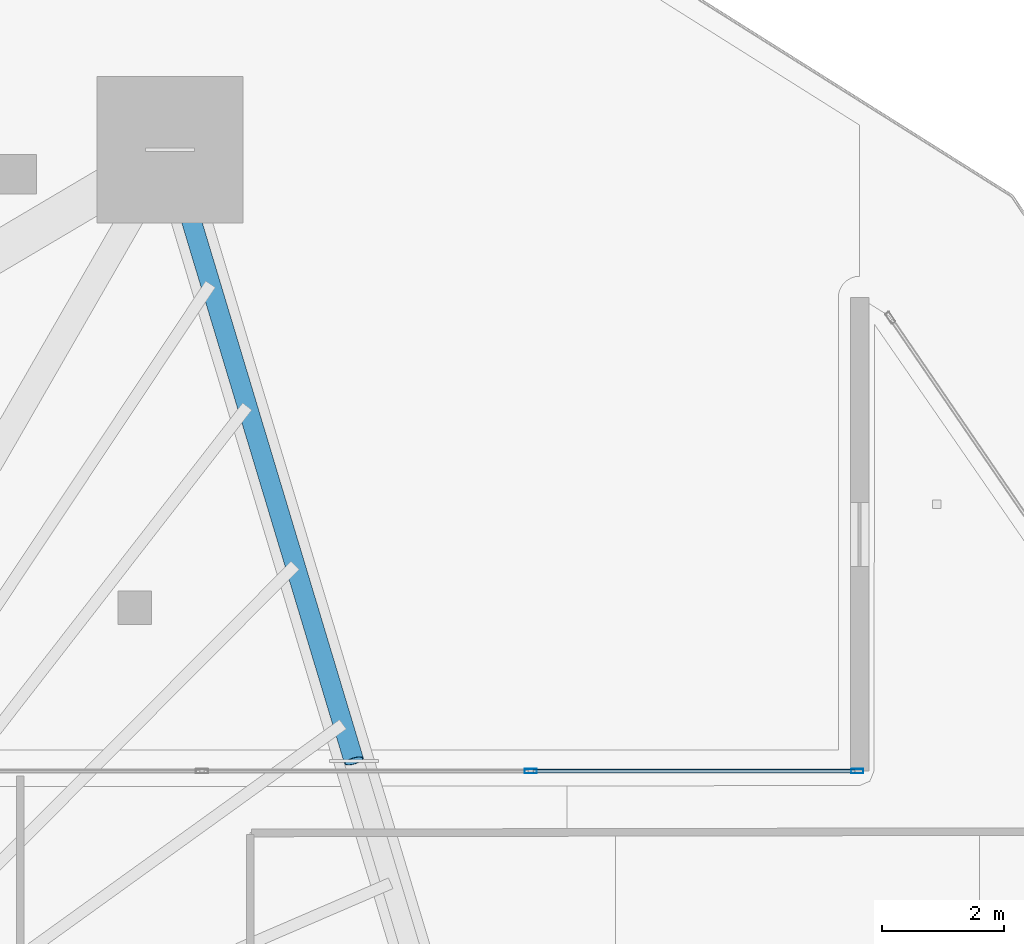
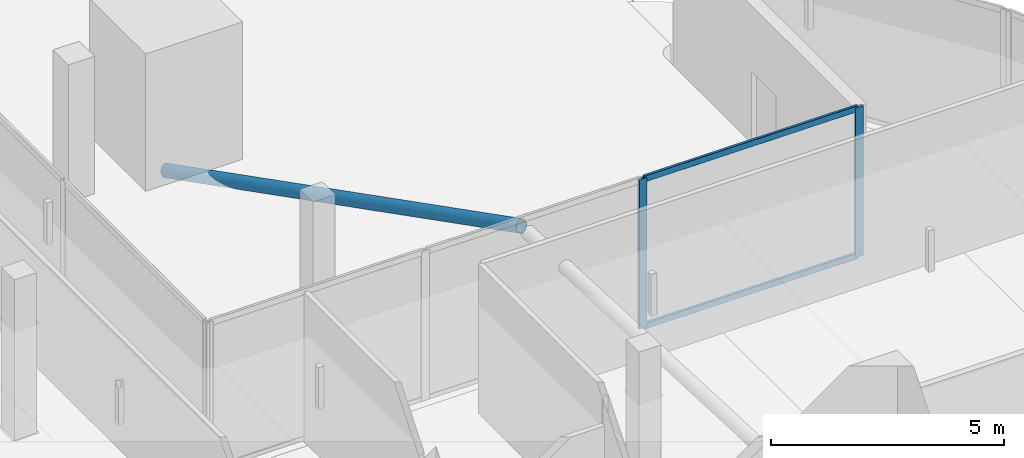
# One storey, part 25 of 47: 5 members, 1 element without a shape of its own.
"""IFC4 building model written with IfcOpenShell, lengths in metres."""

import ifcopenshell
import ifcopenshell.guid

model = None  # the IFC model being written
_history = None  # IfcOwnerHistory: only IFC2X3 demands one
_inside = {}  # id of a spatial element -> (the spatial element, [elements in it])
_under = {}  # id of a project, library or spatial element -> (it, [spatial elements below it])
_declared = {}  # id of a project -> (the project, [libraries it declares])
_typed = {}  # id of a type object -> (the type object, [elements of that type])
_made_of = {}  # id of a material, layer set ... -> (it, [elements and type objects made of it])


def new_model(schema):
    """Start an empty IFC model of exactly this schema.

    Asked for "IFC4X3", IfcOpenShell would pick the latest addendum, in which some entities
    have other attributes; the version numbers below select the first issue.
    IFC2X3 requires an IfcOwnerHistory on every rooted entity: one is made here for all.
    """
    global model, _history
    if schema == "IFC4X3":
        model = ifcopenshell.file(schema_version=(4, 3, 0, 0))
    else:
        model = ifcopenshell.file(schema=schema)
    _inside.clear()
    _under.clear()
    _declared.clear()
    _typed.clear()
    _made_of.clear()
    _history = None
    if model.schema == "IFC2X3":
        org = make("IfcOrganization", Name="unknown")
        user = make(
            "IfcPersonAndOrganization",
            ThePerson=make("IfcPerson", FamilyName="unknown"),
            TheOrganization=org,
        )
        app = make(
            "IfcApplication",
            ApplicationDeveloper=org,
            Version="unknown",
            ApplicationFullName="unknown",
            ApplicationIdentifier="unknown",
        )
        _history = make(
            "IfcOwnerHistory",
            OwningUser=user,
            OwningApplication=app,
            ChangeAction="ADDED",
            CreationDate=0,
        )
    return model


def make(cls, **values):
    """One entity of the class cls with the attributes given. An attribute that is None is left unset."""
    return model.create_entity(
        cls, **{name: value for name, value in values.items() if value is not None}
    )


def rooted(cls, **values):
    """An entity with a GlobalId (a new one), such as an element, a storey or a relation."""
    return make(cls, GlobalId=ifcopenshell.guid.new(), OwnerHistory=_history, **values)


def si_unit(unit_type, name, prefix=None):
    """IfcSIUnit, for example si_unit("LENGTHUNIT", "METRE", prefix="MILLI")."""
    return make("IfcSIUnit", UnitType=unit_type, Prefix=prefix, Name=name)


def assignment(units):
    """IfcUnitAssignment: the units of a project."""
    return None if units is None else make("IfcUnitAssignment", Units=units)


def point(xyz):
    """IfcCartesianPoint."""
    return None if xyz is None else make("IfcCartesianPoint", Coordinates=xyz)


def direction(xyz):
    """IfcDirection."""
    return None if xyz is None else make("IfcDirection", DirectionRatios=xyz)


def frame(location, z_axis=None, x_axis=None):
    """IfcAxis2Placement3D, a coordinate frame: its origin and axes. An axis left out is left unset."""
    return make(
        "IfcAxis2Placement3D",
        Location=point(location),
        Axis=direction(z_axis),
        RefDirection=direction(x_axis),
    )


def frame_2d(location, x_axis=None):
    """IfcAxis2Placement2D, a coordinate frame in the plane: its origin and x axis."""
    return make(
        "IfcAxis2Placement2D", Location=point(location), RefDirection=direction(x_axis)
    )


def origin():
    """The frame at (0, 0, 0) with its axes left unset."""
    return frame((0.0, 0.0, 0.0))


def origin_2d():
    """The frame at (0, 0) in the plane with its x axis left unset."""
    return frame_2d((0.0, 0.0))


def place(relative_to, where):
    """IfcLocalPlacement: puts the frame where relative to a parent placement (None: the world)."""
    return make(
        "IfcLocalPlacement", PlacementRelTo=relative_to, RelativePlacement=where
    )


def context(
    kind, dimensions, precision=None, world=None, true_north=None, identifier=None
):
    """IfcGeometricRepresentationContext, for example the 3D "Model" context."""
    return make(
        "IfcGeometricRepresentationContext",
        ContextIdentifier=identifier,
        ContextType=kind,
        CoordinateSpaceDimension=dimensions,
        Precision=precision,
        WorldCoordinateSystem=world,
        TrueNorth=true_north,
    )


def subcontext(parent, identifier, kind, view, scale=None):
    """IfcGeometricRepresentationSubContext, for example "Body" below "Model"."""
    return make(
        "IfcGeometricRepresentationSubContext",
        ContextIdentifier=identifier,
        ContextType=kind,
        ParentContext=parent,
        TargetScale=scale,
        TargetView=view,
    )


def project(units=None, contexts=None):
    """IfcProject with its units and contexts."""
    return rooted(
        "IfcProject",
        Name="project",
        RepresentationContexts=contexts,
        UnitsInContext=assignment(units),
    )


def spatial(cls, under=None, at=None, **own):
    """A site, building, storey or space (cls), placed at a placement, below another one or the project."""
    s = rooted(cls, ObjectPlacement=at, **own)
    if under is not None:
        _under.setdefault(under.id(), (under, []))[1].append(s)
    return s


def profile(cls, at=None, kind="AREA", **sizes):
    """A parametric profile (cls). Its sizes go by their IFC names, for example OverallWidth=200.0."""
    return make(cls, ProfileType=kind, Position=at, **sizes)


def hollow_rectangle(**sizes):
    """IfcRectangleHollowProfileDef."""
    return profile("IfcRectangleHollowProfileDef", **sizes)


def hollow_circle(**sizes):
    """IfcCircleHollowProfileDef."""
    return profile("IfcCircleHollowProfileDef", **sizes)


def extrude(swept, where, along, depth):
    """IfcExtrudedAreaSolid: the profile swept, set in the frame where, extruded along a direction by depth."""
    return make(
        "IfcExtrudedAreaSolid",
        SweptArea=swept,
        Position=where,
        ExtrudedDirection=direction(along),
        Depth=depth,
    )


def shape(context_of_items, identifier, shape_type, items):
    """IfcShapeRepresentation: the items that make up one representation, for example the "Body"."""
    return make(
        "IfcShapeRepresentation",
        ContextOfItems=context_of_items,
        RepresentationIdentifier=identifier,
        RepresentationType=shape_type,
        Items=items,
    )


def material(Name=None, Category=None):
    """IfcMaterial."""
    return make("IfcMaterial", Name=Name, Category=Category)


def layer(
    of_material, thickness, ventilated=None, Name=None, Category=None, Priority=None
):
    """IfcMaterialLayer: one layer of a wall or slab, of a material (None: an air gap)."""
    return make(
        "IfcMaterialLayer",
        Material=of_material,
        LayerThickness=thickness,
        IsVentilated=ventilated,
        Name=Name,
        Category=Category,
        Priority=Priority,
    )


def layer_set(layers, Name=None):
    """IfcMaterialLayerSet."""
    return make("IfcMaterialLayerSet", MaterialLayers=layers, LayerSetName=Name)


def material_profile(
    of_material, cross_section, Name=None, Category=None, Priority=None
):
    """IfcMaterialProfile: a cross section and its material."""
    return make(
        "IfcMaterialProfile",
        Name=Name,
        Material=of_material,
        Profile=cross_section,
        Priority=Priority,
        Category=Category,
    )


def profile_set(profiles, Name=None, composite=None):
    """IfcMaterialProfileSet."""
    return make(
        "IfcMaterialProfileSet",
        Name=Name,
        MaterialProfiles=profiles,
        CompositeProfile=composite,
    )


def made_of(thing, what):
    """Note that an element or type object is made of a material, layer set ...; save() writes the relation."""
    if what is not None:
        _made_of.setdefault(what.id(), (what, []))[1].append(thing)
    return thing


def type_object(cls, material=None, **own):
    """A type object (cls), such as IfcWallType, which elements share."""
    return made_of(rooted(cls, **own), material)


def element(
    cls,
    number,
    at=None,
    inside=None,
    cuts=None,
    type_object=None,
    material=None,
    context=None,
    identifier="Body",
    shape_type=None,
    held_by="IfcProductDefinitionShape",
    body=None,
    shapes=None,
    **own,
):
    """One element of the class cls, such as IfcWall. Its Tag is "e" and its number.

    at: its placement. inside: the storey or other place that contains it. cuts: it is an
    opening in that element (IfcRelVoidsElement). A single representation is given by context,
    identifier, shape_type and body (its items); several are given by shapes. held_by: the class
    of the entity that holds the representations. save() writes the other relations.
    """
    e = rooted(cls, Tag="e%d" % number, ObjectPlacement=at, **own)
    if body is not None:
        shapes = [shape(context, identifier, shape_type, body)]
    if shapes is not None:
        e.Representation = make(held_by, Representations=shapes)
    if inside is not None:
        _inside.setdefault(inside.id(), (inside, []))[1].append(e)
    if cuts is not None:
        rooted(
            "IfcRelVoidsElement", RelatingBuildingElement=cuts, RelatedOpeningElement=e
        )
    if type_object is not None:
        _typed.setdefault(type_object.id(), (type_object, []))[1].append(e)
    return made_of(e, material)


def aggregate(whole, parts):
    """IfcRelAggregates: a whole, such as a stair, and the parts it consists of."""
    return rooted("IfcRelAggregates", RelatingObject=whole, RelatedObjects=parts)


def save(model, path):
    """Write the relations noted so far, then the file.

    IfcRelAggregates (storeys below a building ...), IfcRelContainedInSpatialStructure (elements
    in a storey), IfcRelDefinesByType, IfcRelAssociatesMaterial and IfcRelDeclares: one each for
    every whole, place, type object, material and project.
    """
    for whole, parts in _under.values():
        aggregate(whole, parts)
    for where, things in _inside.values():
        rooted(
            "IfcRelContainedInSpatialStructure",
            RelatedElements=things,
            RelatingStructure=where,
        )
    for kind, things in _typed.values():
        rooted("IfcRelDefinesByType", RelatedObjects=things, RelatingType=kind)
    for what, things in _made_of.values():
        rooted("IfcRelAssociatesMaterial", RelatedObjects=things, RelatingMaterial=what)
    for by, libraries in _declared.values():
        rooted("IfcRelDeclares", RelatingContext=by, RelatedDefinitions=libraries)
    model.write(path)


model = new_model("IFC4")

# Units and contexts
model_context = context("Model", 3, precision=1e-05, world=origin(), true_north=direction((0.0, 1.0)))
body_context = subcontext(model_context, "Body", "Model", "MODEL_VIEW")
ifc_project = project(units=[si_unit("LENGTHUNIT", "METRE"), si_unit("AREAUNIT", "SQUARE_METRE"), si_unit("VOLUMEUNIT", "CUBIC_METRE"), si_unit("PLANEANGLEUNIT", "RADIAN"), si_unit("MASSUNIT", "GRAM", prefix="KILO")], contexts=[model_context])

# Site, building, storey
site_placement = place(None, origin())
site = spatial("IfcSite", under=ifc_project, at=site_placement, CompositionType="ELEMENT")
building_placement = place(site_placement, origin())
building = spatial("IfcBuilding", under=site, at=building_placement, Name="Qorvath Tower", CompositionType="ELEMENT")
storey_placement = place(building_placement, frame((0.0, 0.0, 82.800048828125)))
storey = spatial("IfcBuildingStorey", under=building, at=storey_placement, Name="L18", CompositionType="ELEMENT", Elevation=82.800048828125)

# Curtain wall, members
ifc_material_1 = material(Name="Anodised aluminium and triple low-E glass", Category="aluminium")
ifc_layer = layer(ifc_material_1, 0.179931640625)
ifc_layer_set = layer_set([ifc_layer], Name="CW-SYS-5")
curtain_wall_type = type_object("IfcCurtainWallType", Name="CW-SYS-5", PredefinedType="NOTDEFINED", material=ifc_layer_set)
curtain_wall_placement = place(storey_placement, origin())
curtain_wall = element("IfcCurtainWall", 1, at=curtain_wall_placement, inside=storey, type_object=curtain_wall_type, Name="Curtain Wall CW-5 CW-T-L18-2.1", PredefinedType="NOTDEFINED")
ifc_material_2 = material(Name="Anodised aluminium 6063-T6", Category="aluminium")
ifc_material_profile_1 = material_profile(ifc_material_2, hollow_rectangle(XDim=0.074951171875, YDim=0.199951171875, WallThickness=0.00390625, InnerFilletRadius=0.00390625, OuterFilletRadius=0.008056640625, at=origin_2d()), Name="CWM 200x75")
ifc_profile_set_1 = profile_set([ifc_material_profile_1], Name="Anodised aluminium 6063-T6")
member_type_1 = type_object("IfcMemberType", Name="CWM-200", PredefinedType="MULLION", material=ifc_profile_set_1)
member_1_placement = place(storey_placement, frame((-3.189697265625, 17.135986328125, 0.0), z_axis=(0.0, 0.0, 1.0), x_axis=(0.0, -1.0, 0.0)))
member_1 = element("IfcMember", 2, at=member_1_placement, type_object=member_type_1, Name="CW-5 mullion 1", PredefinedType="MULLION", context=body_context, shape_type="SweptSolid", body=[
    extrude(hollow_rectangle(XDim=0.074951171875, YDim=0.199951171875, WallThickness=0.00390625, InnerFilletRadius=0.00390625, OuterFilletRadius=0.008056640625, at=origin_2d()), origin(), (0.0, 0.0, 1.0), 3.919921875),
])
member_2_placement = place(storey_placement, frame((-8.546630859375, 17.135986328125, 0.0), z_axis=(0.0, 0.0, 1.0), x_axis=(0.0, -1.0, 0.0)))
member_2 = element("IfcMember", 3, at=member_2_placement, type_object=member_type_1, Name="CW-5 mullion 2", PredefinedType="MULLION", context=body_context, shape_type="SweptSolid", body=[
    extrude(hollow_rectangle(XDim=0.074951171875, YDim=0.199951171875, WallThickness=0.00390625, InnerFilletRadius=0.00390625, OuterFilletRadius=0.008056640625, at=origin_2d()), origin(), (0.0, 0.0, 1.0), 3.919921875),
])
ifc_material_3 = material(Name="Anodised aluminium 6063-T6", Category="aluminium")
ifc_material_profile_2 = material_profile(ifc_material_3, hollow_rectangle(XDim=0.06494140625, YDim=0.159912109375, WallThickness=0.00341796875, InnerFilletRadius=0.00341796875, OuterFilletRadius=0.007080078125, at=origin_2d()), Name="CWT 160x65")
ifc_profile_set_2 = profile_set([ifc_material_profile_2], Name="Anodised aluminium 6063-T6")
member_type_2 = type_object("IfcMemberType", Name="CWT-160", PredefinedType="USERDEFINED", material=ifc_profile_set_2)
member_3_placement = place(storey_placement, frame((-3.22705078125, 17.135986328125, 0.032470703125), z_axis=(-1.0, 0.0, 0.0), x_axis=(0.0, -1.0, 0.0)))
member_3 = element("IfcMember", 4, at=member_3_placement, type_object=member_type_2, Name="CW-5 transom 1.1", ObjectType="TRANSOM", PredefinedType="USERDEFINED", context=body_context, shape_type="SweptSolid", body=[
    extrude(hollow_rectangle(XDim=0.06494140625, YDim=0.159912109375, WallThickness=0.00341796875, InnerFilletRadius=0.00341796875, OuterFilletRadius=0.007080078125, at=origin_2d()), origin(), (0.0, 0.0, 1.0), 5.2822265625),
])
member_4_placement = place(storey_placement, frame((-3.22705078125, 17.135986328125, 3.887451171875), z_axis=(-1.0, 0.0, 0.0), x_axis=(0.0, -1.0, 0.0)))
member_4 = element("IfcMember", 5, at=member_4_placement, type_object=member_type_2, Name="CW-5 transom 1.2", ObjectType="TRANSOM", PredefinedType="USERDEFINED", context=body_context, shape_type="SweptSolid", body=[
    extrude(hollow_rectangle(XDim=0.06494140625, YDim=0.159912109375, WallThickness=0.00341796875, InnerFilletRadius=0.00341796875, OuterFilletRadius=0.007080078125, at=origin_2d()), origin(), (0.0, 0.0, 1.0), 5.2822265625),
])
aggregate(curtain_wall, [member_1, member_2, member_3, member_4])

# Member
ifc_material_4 = material(Name="Steel ASTM A500 Grade C", Category="steel")
ifc_material_profile_3 = material_profile(ifc_material_4, hollow_circle(Radius=0.161865234375, WallThickness=0.0126953125, at=origin_2d()), Name="CHS 324x12.7")
ifc_profile_set_3 = profile_set([ifc_material_profile_3], Name="Steel ASTM A500 Grade C")
member_type_3 = type_object("IfcMemberType", Name="MEM-ST1", PredefinedType="STRUT", material=ifc_profile_set_3)
member_5_placement = place(storey_placement, frame((-14.46435546875, 27.330810546875, 0.0), z_axis=(0.27271241604, -0.906363841367, 0.322695716116), x_axis=(0.957592391289, 0.288126382245, 0.0)))
element("IfcMember", 6, at=member_5_placement, inside=storey, type_object=member_type_3, Name="Sky Garden Corner Strut L18-B", PredefinedType="STRUT", context=body_context, shape_type="SweptSolid", body=[
    extrude(hollow_circle(Radius=0.161865234375, WallThickness=0.0126953125, at=origin_2d()), origin(), (0.0, 0.0, 1.0), 11.063232421875),
])

save(model, "model.ifc")
